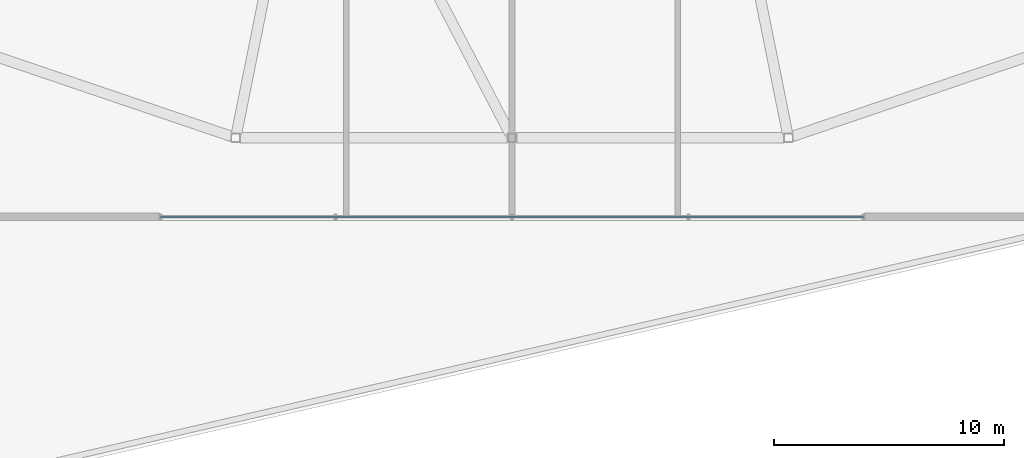
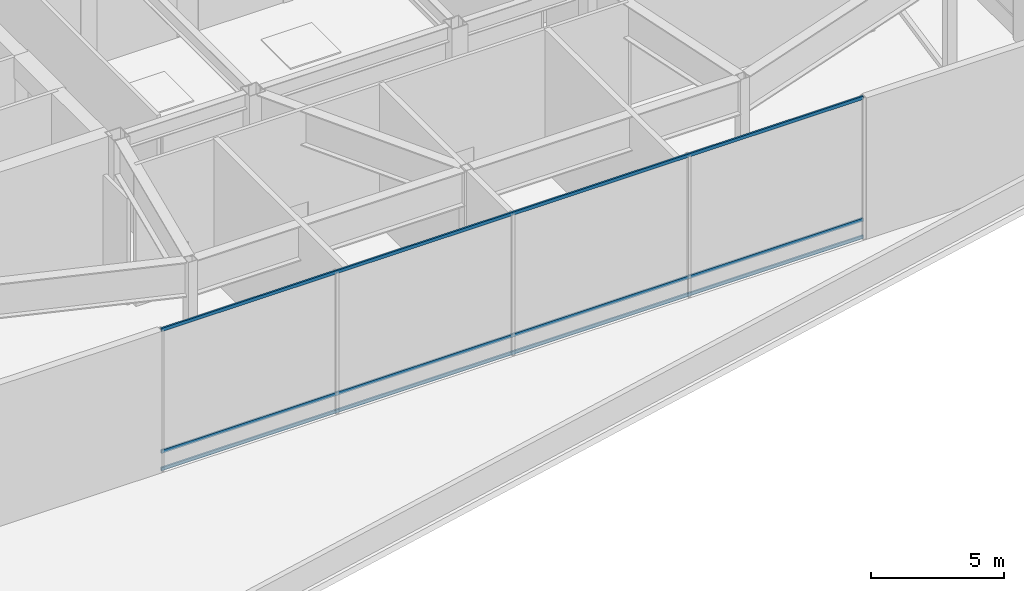
# One storey, part 7 of 25: 3 members, 1 element without a shape of its own.
"""IFC4 building model written with IfcOpenShell, lengths in metres."""

import ifcopenshell
import ifcopenshell.guid

model = None  # the IFC model being written
_history = None  # IfcOwnerHistory: only IFC2X3 demands one
_inside = {}  # id of a spatial element -> (the spatial element, [elements in it])
_under = {}  # id of a project, library or spatial element -> (it, [spatial elements below it])
_declared = {}  # id of a project -> (the project, [libraries it declares])
_typed = {}  # id of a type object -> (the type object, [elements of that type])
_made_of = {}  # id of a material, layer set ... -> (it, [elements and type objects made of it])


def new_model(schema):
    """Start an empty IFC model of exactly this schema.

    Asked for "IFC4X3", IfcOpenShell would pick the latest addendum, in which some entities
    have other attributes; the version numbers below select the first issue.
    IFC2X3 requires an IfcOwnerHistory on every rooted entity: one is made here for all.
    """
    global model, _history
    if schema == "IFC4X3":
        model = ifcopenshell.file(schema_version=(4, 3, 0, 0))
    else:
        model = ifcopenshell.file(schema=schema)
    _inside.clear()
    _under.clear()
    _declared.clear()
    _typed.clear()
    _made_of.clear()
    _history = None
    if model.schema == "IFC2X3":
        org = make("IfcOrganization", Name="unknown")
        user = make(
            "IfcPersonAndOrganization",
            ThePerson=make("IfcPerson", FamilyName="unknown"),
            TheOrganization=org,
        )
        app = make(
            "IfcApplication",
            ApplicationDeveloper=org,
            Version="unknown",
            ApplicationFullName="unknown",
            ApplicationIdentifier="unknown",
        )
        _history = make(
            "IfcOwnerHistory",
            OwningUser=user,
            OwningApplication=app,
            ChangeAction="ADDED",
            CreationDate=0,
        )
    return model


def make(cls, **values):
    """One entity of the class cls with the attributes given. An attribute that is None is left unset."""
    return model.create_entity(
        cls, **{name: value for name, value in values.items() if value is not None}
    )


def rooted(cls, **values):
    """An entity with a GlobalId (a new one), such as an element, a storey or a relation."""
    return make(cls, GlobalId=ifcopenshell.guid.new(), OwnerHistory=_history, **values)


def si_unit(unit_type, name, prefix=None):
    """IfcSIUnit, for example si_unit("LENGTHUNIT", "METRE", prefix="MILLI")."""
    return make("IfcSIUnit", UnitType=unit_type, Prefix=prefix, Name=name)


def assignment(units):
    """IfcUnitAssignment: the units of a project."""
    return None if units is None else make("IfcUnitAssignment", Units=units)


def point(xyz):
    """IfcCartesianPoint."""
    return None if xyz is None else make("IfcCartesianPoint", Coordinates=xyz)


def direction(xyz):
    """IfcDirection."""
    return None if xyz is None else make("IfcDirection", DirectionRatios=xyz)


def frame(location, z_axis=None, x_axis=None):
    """IfcAxis2Placement3D, a coordinate frame: its origin and axes. An axis left out is left unset."""
    return make(
        "IfcAxis2Placement3D",
        Location=point(location),
        Axis=direction(z_axis),
        RefDirection=direction(x_axis),
    )


def frame_2d(location, x_axis=None):
    """IfcAxis2Placement2D, a coordinate frame in the plane: its origin and x axis."""
    return make(
        "IfcAxis2Placement2D", Location=point(location), RefDirection=direction(x_axis)
    )


def origin():
    """The frame at (0, 0, 0) with its axes left unset."""
    return frame((0.0, 0.0, 0.0))


def origin_2d():
    """The frame at (0, 0) in the plane with its x axis left unset."""
    return frame_2d((0.0, 0.0))


def place(relative_to, where):
    """IfcLocalPlacement: puts the frame where relative to a parent placement (None: the world)."""
    return make(
        "IfcLocalPlacement", PlacementRelTo=relative_to, RelativePlacement=where
    )


def context(
    kind, dimensions, precision=None, world=None, true_north=None, identifier=None
):
    """IfcGeometricRepresentationContext, for example the 3D "Model" context."""
    return make(
        "IfcGeometricRepresentationContext",
        ContextIdentifier=identifier,
        ContextType=kind,
        CoordinateSpaceDimension=dimensions,
        Precision=precision,
        WorldCoordinateSystem=world,
        TrueNorth=true_north,
    )


def subcontext(parent, identifier, kind, view, scale=None):
    """IfcGeometricRepresentationSubContext, for example "Body" below "Model"."""
    return make(
        "IfcGeometricRepresentationSubContext",
        ContextIdentifier=identifier,
        ContextType=kind,
        ParentContext=parent,
        TargetScale=scale,
        TargetView=view,
    )


def project(units=None, contexts=None):
    """IfcProject with its units and contexts."""
    return rooted(
        "IfcProject",
        Name="project",
        RepresentationContexts=contexts,
        UnitsInContext=assignment(units),
    )


def spatial(cls, under=None, at=None, **own):
    """A site, building, storey or space (cls), placed at a placement, below another one or the project."""
    s = rooted(cls, ObjectPlacement=at, **own)
    if under is not None:
        _under.setdefault(under.id(), (under, []))[1].append(s)
    return s


def profile(cls, at=None, kind="AREA", **sizes):
    """A parametric profile (cls). Its sizes go by their IFC names, for example OverallWidth=200.0."""
    return make(cls, ProfileType=kind, Position=at, **sizes)


def hollow_rectangle(**sizes):
    """IfcRectangleHollowProfileDef."""
    return profile("IfcRectangleHollowProfileDef", **sizes)


def extrude(swept, where, along, depth):
    """IfcExtrudedAreaSolid: the profile swept, set in the frame where, extruded along a direction by depth."""
    return make(
        "IfcExtrudedAreaSolid",
        SweptArea=swept,
        Position=where,
        ExtrudedDirection=direction(along),
        Depth=depth,
    )


def shape(context_of_items, identifier, shape_type, items):
    """IfcShapeRepresentation: the items that make up one representation, for example the "Body"."""
    return make(
        "IfcShapeRepresentation",
        ContextOfItems=context_of_items,
        RepresentationIdentifier=identifier,
        RepresentationType=shape_type,
        Items=items,
    )


def material(Name=None, Category=None):
    """IfcMaterial."""
    return make("IfcMaterial", Name=Name, Category=Category)


def layer(
    of_material, thickness, ventilated=None, Name=None, Category=None, Priority=None
):
    """IfcMaterialLayer: one layer of a wall or slab, of a material (None: an air gap)."""
    return make(
        "IfcMaterialLayer",
        Material=of_material,
        LayerThickness=thickness,
        IsVentilated=ventilated,
        Name=Name,
        Category=Category,
        Priority=Priority,
    )


def layer_set(layers, Name=None):
    """IfcMaterialLayerSet."""
    return make("IfcMaterialLayerSet", MaterialLayers=layers, LayerSetName=Name)


def material_profile(
    of_material, cross_section, Name=None, Category=None, Priority=None
):
    """IfcMaterialProfile: a cross section and its material."""
    return make(
        "IfcMaterialProfile",
        Name=Name,
        Material=of_material,
        Profile=cross_section,
        Priority=Priority,
        Category=Category,
    )


def profile_set(profiles, Name=None, composite=None):
    """IfcMaterialProfileSet."""
    return make(
        "IfcMaterialProfileSet",
        Name=Name,
        MaterialProfiles=profiles,
        CompositeProfile=composite,
    )


def made_of(thing, what):
    """Note that an element or type object is made of a material, layer set ...; save() writes the relation."""
    if what is not None:
        _made_of.setdefault(what.id(), (what, []))[1].append(thing)
    return thing


def type_object(cls, material=None, **own):
    """A type object (cls), such as IfcWallType, which elements share."""
    return made_of(rooted(cls, **own), material)


def element(
    cls,
    number,
    at=None,
    inside=None,
    cuts=None,
    type_object=None,
    material=None,
    context=None,
    identifier="Body",
    shape_type=None,
    held_by="IfcProductDefinitionShape",
    body=None,
    shapes=None,
    **own,
):
    """One element of the class cls, such as IfcWall. Its Tag is "e" and its number.

    at: its placement. inside: the storey or other place that contains it. cuts: it is an
    opening in that element (IfcRelVoidsElement). A single representation is given by context,
    identifier, shape_type and body (its items); several are given by shapes. held_by: the class
    of the entity that holds the representations. save() writes the other relations.
    """
    e = rooted(cls, Tag="e%d" % number, ObjectPlacement=at, **own)
    if body is not None:
        shapes = [shape(context, identifier, shape_type, body)]
    if shapes is not None:
        e.Representation = make(held_by, Representations=shapes)
    if inside is not None:
        _inside.setdefault(inside.id(), (inside, []))[1].append(e)
    if cuts is not None:
        rooted(
            "IfcRelVoidsElement", RelatingBuildingElement=cuts, RelatedOpeningElement=e
        )
    if type_object is not None:
        _typed.setdefault(type_object.id(), (type_object, []))[1].append(e)
    return made_of(e, material)


def aggregate(whole, parts):
    """IfcRelAggregates: a whole, such as a stair, and the parts it consists of."""
    return rooted("IfcRelAggregates", RelatingObject=whole, RelatedObjects=parts)


def save(model, path):
    """Write the relations noted so far, then the file.

    IfcRelAggregates (storeys below a building ...), IfcRelContainedInSpatialStructure (elements
    in a storey), IfcRelDefinesByType, IfcRelAssociatesMaterial and IfcRelDeclares: one each for
    every whole, place, type object, material and project.
    """
    for whole, parts in _under.values():
        aggregate(whole, parts)
    for where, things in _inside.values():
        rooted(
            "IfcRelContainedInSpatialStructure",
            RelatedElements=things,
            RelatingStructure=where,
        )
    for kind, things in _typed.values():
        rooted("IfcRelDefinesByType", RelatedObjects=things, RelatingType=kind)
    for what, things in _made_of.values():
        rooted("IfcRelAssociatesMaterial", RelatedObjects=things, RelatingMaterial=what)
    for by, libraries in _declared.values():
        rooted("IfcRelDeclares", RelatingContext=by, RelatedDefinitions=libraries)
    model.write(path)


model = new_model("IFC4")

# Units and contexts
model_context = context("Model", 3, precision=1e-05, world=origin(), true_north=direction((0.0, 1.0)))
body_context = subcontext(model_context, "Body", "Model", "MODEL_VIEW")
ifc_project = project(units=[si_unit("LENGTHUNIT", "METRE"), si_unit("AREAUNIT", "SQUARE_METRE"), si_unit("VOLUMEUNIT", "CUBIC_METRE"), si_unit("PLANEANGLEUNIT", "RADIAN"), si_unit("MASSUNIT", "GRAM", prefix="KILO")], contexts=[model_context])

# Site, building, storey
site_placement = place(None, origin())
site = spatial("IfcSite", under=ifc_project, at=site_placement, CompositionType="ELEMENT")
building_placement = place(site_placement, origin())
building = spatial("IfcBuilding", under=site, at=building_placement, Name="Tavrogorsk Clinical Tower", CompositionType="ELEMENT")
storey_placement = place(building_placement, frame((0.0, 0.0, 333.0)))
storey = spatial("IfcBuildingStorey", under=building, at=storey_placement, Name="L78", CompositionType="ELEMENT", Elevation=333.0)

# Curtain wall, members
ifc_material_1 = material(Name="Anodised aluminium and triple IGU glazing", Category="aluminium")
ifc_layer = layer(ifc_material_1, 0.179931640625)
ifc_layer_set = layer_set([ifc_layer], Name="Anodised aluminium and triple IGU glazing")
curtain_wall_type = type_object("IfcCurtainWallType", Name="CW6_TmdLantern", PredefinedType="NOTDEFINED", material=ifc_layer_set)
curtain_wall_placement = place(storey_placement, origin())
curtain_wall = element("IfcCurtainWall", 1, at=curtain_wall_placement, inside=storey, type_object=curtain_wall_type, Name="L78 Curtain Wall CW-L78-TMD-8", PredefinedType="NOTDEFINED")
ifc_material_2 = material(Name="Anodised aluminium alloy AW-6060", Category="aluminium")
ifc_material_profile = material_profile(ifc_material_2, hollow_rectangle(XDim=0.074951171875, YDim=0.14990234375, WallThickness=0.0048828125, at=origin_2d()), Name="RHS-150x75x5")
ifc_profile_set = profile_set([ifc_material_profile], Name="Anodised aluminium alloy AW-6060")
member_type = type_object("IfcMemberType", Name="CwTransom_150x75", PredefinedType="USERDEFINED", material=ifc_profile_set)
member_1_placement = place(storey_placement, frame((15.258544921875, -18.22998046875, 0.050048828125), z_axis=(-1.0, 0.0, 0.0), x_axis=(0.0, -1.0, 0.0)))
member_1 = element("IfcMember", 2, at=member_1_placement, type_object=member_type, Name="CW-L78-TMD-8 Transom 1", ObjectType="TRANSOM", PredefinedType="USERDEFINED", context=body_context, shape_type="SweptSolid", body=[
    extrude(hollow_rectangle(XDim=0.074951171875, YDim=0.14990234375, WallThickness=0.0048828125, at=origin_2d()), origin(), (0.0, 0.0, 1.0), 30.51806640625),
])
member_2_placement = place(storey_placement, frame((15.258544921875, -18.22998046875, 0.85009765625), z_axis=(-1.0, 0.0, 0.0), x_axis=(0.0, -1.0, 0.0)))
member_2 = element("IfcMember", 3, at=member_2_placement, type_object=member_type, Name="CW-L78-TMD-8 Transom 2", ObjectType="TRANSOM", PredefinedType="USERDEFINED", context=body_context, shape_type="SweptSolid", body=[
    extrude(hollow_rectangle(XDim=0.074951171875, YDim=0.14990234375, WallThickness=0.0048828125, at=origin_2d()), origin(), (0.0, 0.0, 1.0), 30.51806640625),
])
member_3_placement = place(storey_placement, frame((15.258544921875, -18.22998046875, 6.449951171875), z_axis=(-1.0, 0.0, 0.0), x_axis=(0.0, -1.0, 0.0)))
member_3 = element("IfcMember", 4, at=member_3_placement, type_object=member_type, Name="CW-L78-TMD-8 Transom 3", ObjectType="TRANSOM", PredefinedType="USERDEFINED", context=body_context, shape_type="SweptSolid", body=[
    extrude(hollow_rectangle(XDim=0.074951171875, YDim=0.14990234375, WallThickness=0.0048828125, at=origin_2d()), origin(), (0.0, 0.0, 1.0), 30.51806640625),
])
aggregate(curtain_wall, [member_1, member_2, member_3])

save(model, "model.ifc")
